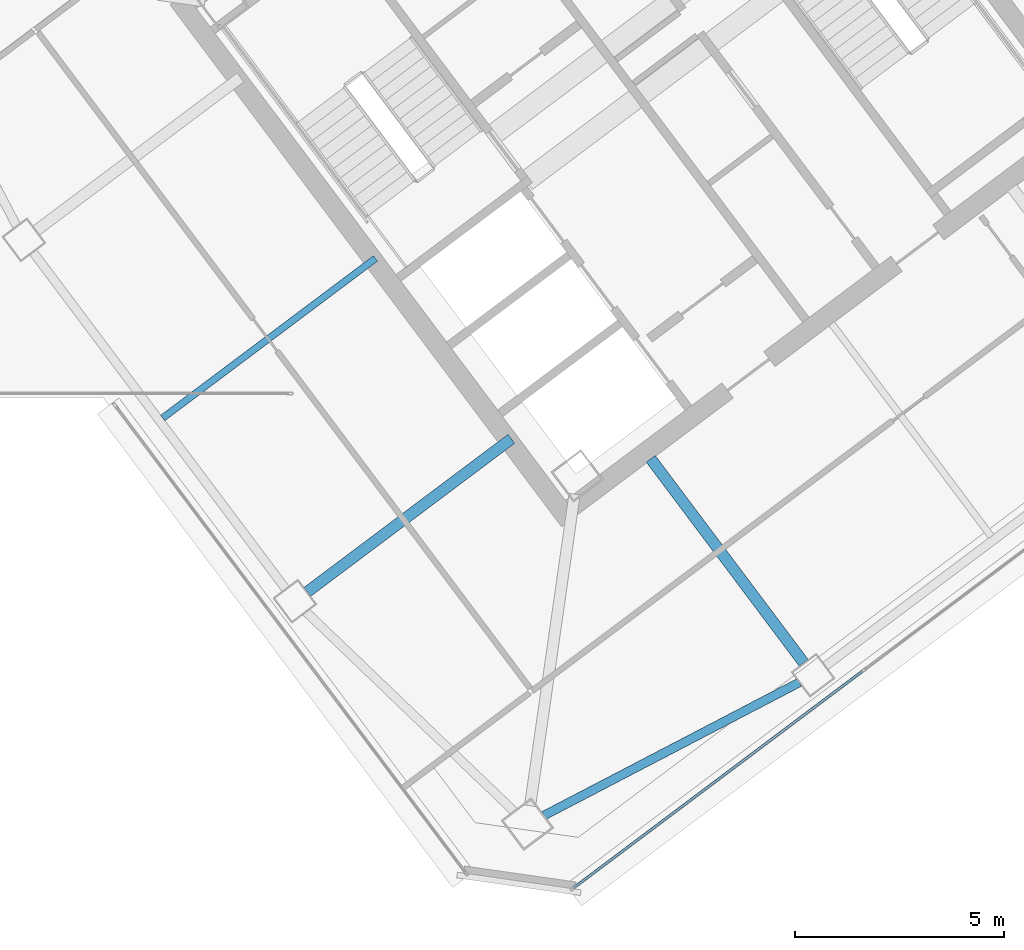
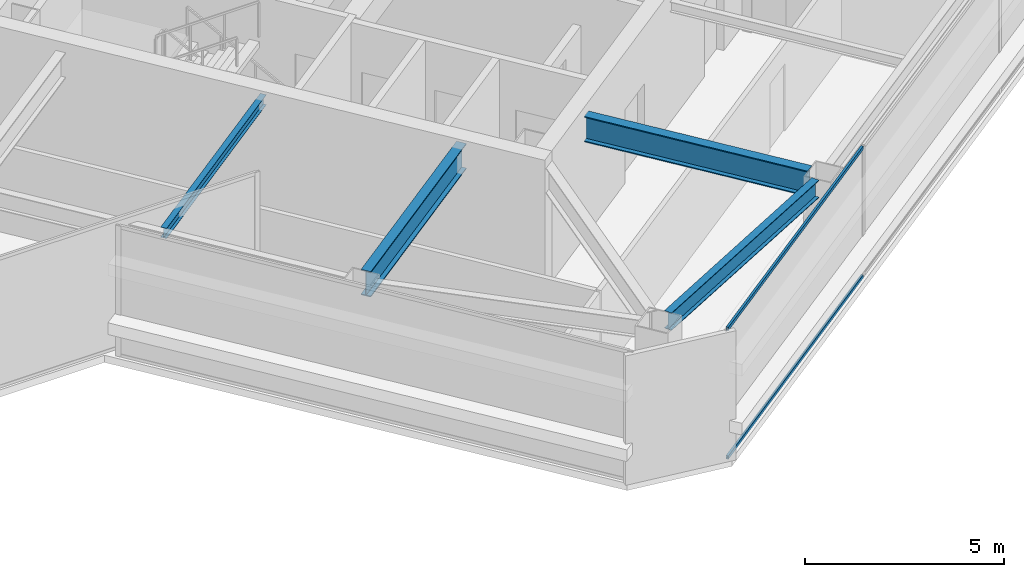
# One storey, part 30 of 51: 4 beams, 2 members, 1 element without a shape of its own.
"""IFC4 building model written with IfcOpenShell, lengths in metres."""

from ifc_helpers import new_model, si_unit, direction, frame, origin, origin_2d, place, context, subcontext, project, spatial, hollow_rectangle, i_section, extrude, material, material_profile, profile_set, type_object, element, aggregate, save


model = new_model("IFC4")

# Units and contexts
model_context = context("Model", 3, precision=1e-05, world=origin(), true_north=direction((0.0, 1.0)))
body_context = subcontext(model_context, "Body", "Model", "MODEL_VIEW")
ifc_project = project(units=[si_unit("LENGTHUNIT", "METRE"), si_unit("AREAUNIT", "SQUARE_METRE"), si_unit("VOLUMEUNIT", "CUBIC_METRE"), si_unit("PLANEANGLEUNIT", "RADIAN"), si_unit("MASSUNIT", "GRAM", prefix="KILO")], contexts=[model_context])

# Site, building, storey
site_placement = place(None, origin())
site = spatial("IfcSite", under=ifc_project, at=site_placement, CompositionType="ELEMENT")
building_placement = place(site_placement, origin())
building = spatial("IfcBuilding", under=site, at=building_placement, Name="Tashvorn Skyway Center", CompositionType="ELEMENT")
storey_placement = place(building_placement, frame((0.0, 0.0, 259.39990234375)))
storey = spatial("IfcBuildingStorey", under=building, at=storey_placement, Name="L70", CompositionType="ELEMENT", Elevation=259.39990234375)

# Beams
ifc_material_1 = material(Name="Steel ASTM A992 Grade 50", Category="steel")
ifc_material_profile_1 = material_profile(ifc_material_1, i_section(OverallWidth=0.26708984375, OverallDepth=0.779052734375, WebThickness=0.0166015625, FlangeThickness=0.030029296875, at=origin_2d()), Name="W30X148")
ifc_profile_set_1 = profile_set([ifc_material_profile_1], Name="Steel ASTM A992 Grade 50")
beam_type_1 = type_object("IfcBeamType", Name="BM-BEAM-W30X148", PredefinedType="BEAM", material=ifc_profile_set_1)
for number, where, z_axis, x_axis, name in (
    (1, (118.008056640625, 17.656005859375, 3.310546875), (-0.600025614447, 0.799980788524, 0.0), (-0.799980788524, -0.600025614447, 0.0), "Tower 2 L70 Primary Floor Girder FC-S1"),
    (2, (106.135986328125, 19.35205078125, 3.310546875), (0.800014407953, 0.599980788915, 0.0), (-0.599980788915, 0.800014407953, 0.0), "Tower 2 L70 Primary Floor Girder FC-W2"),
):
    element("IfcBeam", number, at=place(storey_placement, frame(where, z_axis=z_axis, x_axis=x_axis)), inside=storey, type_object=beam_type_1, Name=name, PredefinedType="BEAM", context=body_context, shape_type="SweptSolid", body=[
        extrude(i_section(OverallWidth=0.26708984375, OverallDepth=0.779052734375, WebThickness=0.0166015625, FlangeThickness=0.030029296875, at=origin_2d()), origin(), (0.0, 0.0, 1.0), 6.10009765625),
    ])
ifc_material_profile_2 = material_profile(ifc_material_1, i_section(OverallWidth=0.1650390625, OverallDepth=0.31005859375, WebThickness=0.005859375, FlangeThickness=0.009765625, at=origin_2d()), Name="W12X26")
ifc_profile_set_2 = profile_set([ifc_material_profile_2], Name="Steel ASTM A992 Grade 50")
beam_type_2 = type_object("IfcBeamType", Name="BM-JOIST-W12X26", PredefinedType="JOIST", material=ifc_profile_set_2)
beam_1_placement = place(storey_placement, frame((107.76806640625, 27.325927734375, 3.545166015625), z_axis=(-0.800013813639, -0.599981581373, 0.0), x_axis=(0.599981581373, -0.800013813639, 0.0)))
element("IfcBeam", 3, at=beam_1_placement, inside=storey, type_object=beam_type_2, Name="Tower 2 L70 Secondary Composite Joist JW", PredefinedType="JOIST", context=body_context, shape_type="SweptSolid", body=[
    extrude(i_section(OverallWidth=0.1650390625, OverallDepth=0.31005859375, WebThickness=0.005859375, FlangeThickness=0.009765625, at=origin_2d()), origin(), (0.0, 0.0, 1.0), 6.362548828125),
])
ifc_material_profile_3 = material_profile(ifc_material_1, i_section(OverallWidth=0.2109375, OverallDepth=0.5390625, WebThickness=0.01171875, FlangeThickness=0.018798828125, at=origin_2d()), Name="W21X73")
ifc_profile_set_3 = profile_set([ifc_material_profile_3], Name="Steel ASTM A992 Grade 50")
beam_type_3 = type_object("IfcBeamType", Name="BM-SPANDREL-W21X73", PredefinedType="SPANDREL", material=ifc_profile_set_3)
beam_2_placement = place(storey_placement, frame((111.794677734375, 14.005615234375, 3.4306640625), z_axis=(0.886763659136, 0.462223120187, 0.0), x_axis=(-0.462223120187, 0.886763659136, 0.0)))
element("IfcBeam", 4, at=beam_2_placement, inside=storey, type_object=beam_type_3, Name="Tower 2 L70 Spandrel Beam 01", PredefinedType="SPANDREL", context=body_context, shape_type="SweptSolid", body=[
    extrude(i_section(OverallWidth=0.2109375, OverallDepth=0.5390625, WebThickness=0.01171875, FlangeThickness=0.018798828125, at=origin_2d()), origin(), (0.0, 0.0, 1.0), 6.886962890625),
])

# Curtain wall, members
ifc_material_2 = material(Name="Thermally broken bronze-anodized aluminium 6063-T6", Category="aluminium")
curtain_wall_type = type_object("IfcCurtainWallType", Name="CW-CW-SKY", PredefinedType="NOTDEFINED", material=ifc_material_2)
curtain_wall_placement = place(storey_placement, origin())
curtain_wall = element("IfcCurtainWall", 5, at=curtain_wall_placement, inside=storey, type_object=curtain_wall_type, Name="Tower 2 L70 South Unitised Curtain Wall", PredefinedType="NOTDEFINED")
ifc_material_profile_4 = material_profile(ifc_material_2, hollow_rectangle(XDim=0.06494140625, YDim=0.10498046875, WallThickness=0.00390625, at=origin_2d()), Name="ALU-TRAN-65x105")
ifc_profile_set_4 = profile_set([ifc_material_profile_4], Name="Thermally broken bronze-anodized aluminium 6063-T6")
member_type = type_object("IfcMemberType", Name="CWT-CW-SKY", PredefinedType="USERDEFINED", material=ifc_profile_set_4)
member_1_placement = place(storey_placement, frame((119.4140625, 17.46044921875, 0.03271484375), z_axis=(-0.800006795504, -0.599990939221, 0.0), x_axis=(0.599990939221, -0.800006795504, 0.0)))
member_1 = element("IfcMember", 6, at=member_1_placement, type_object=member_type, Name="CW-SKY transom 3.1", ObjectType="TRANSOM", PredefinedType="USERDEFINED", context=body_context, shape_type="SweptSolid", body=[
    extrude(hollow_rectangle(XDim=0.06494140625, YDim=0.10498046875, WallThickness=0.00390625, at=origin_2d()), origin(), (0.0, 0.0, 1.0), 8.622314453125),
])
member_2_placement = place(storey_placement, frame((119.4140625, 17.46044921875, 3.967529296875), z_axis=(-0.800006795504, -0.599990939221, 0.0), x_axis=(0.599990939221, -0.800006795504, 0.0)))
member_2 = element("IfcMember", 7, at=member_2_placement, type_object=member_type, Name="CW-SKY transom 3.2", ObjectType="TRANSOM", PredefinedType="USERDEFINED", context=body_context, shape_type="SweptSolid", body=[
    extrude(hollow_rectangle(XDim=0.06494140625, YDim=0.10498046875, WallThickness=0.00390625, at=origin_2d()), origin(), (0.0, 0.0, 1.0), 8.622314453125),
])
aggregate(curtain_wall, [member_1, member_2])

save(model, "model.ifc")
